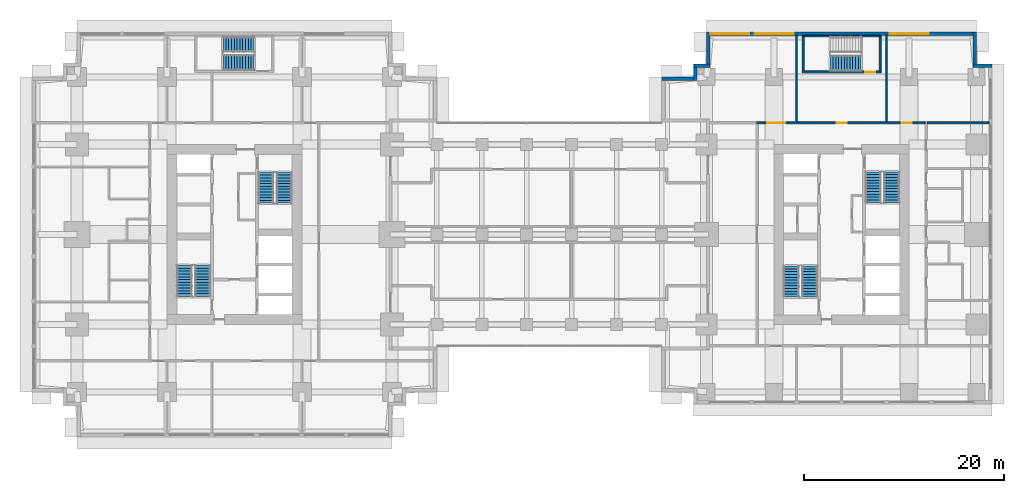
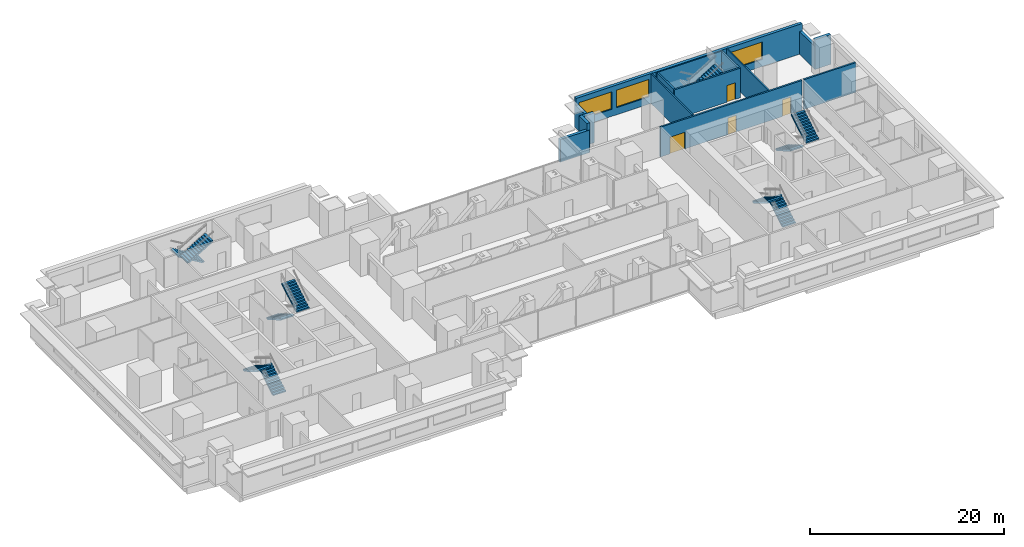
# One storey, part 12 of 16: 15 walls, 11 stair flights, 4 doors, 3 windows, 7 openings, 6 elements without a shape of their own.
"""IFC4 building model written with IfcOpenShell, lengths in metres."""

from ifc_helpers import new_model, si_unit, direction, frame, frame_2d, origin, place, context, subcontext, project, spatial, polyline, rectangle, outline, extrude, material, layer, layer_set, type_object, element, fill, aggregate, save


model = new_model("IFC4")

# Units and contexts
model_context = context("Model", 3, precision=1e-05, world=origin(), true_north=direction((0.0, 1.0)))
body_context = subcontext(model_context, "Body", "Model", "MODEL_VIEW")
ifc_project = project(units=[si_unit("LENGTHUNIT", "METRE"), si_unit("AREAUNIT", "SQUARE_METRE"), si_unit("VOLUMEUNIT", "CUBIC_METRE"), si_unit("PLANEANGLEUNIT", "RADIAN"), si_unit("MASSUNIT", "GRAM", prefix="KILO")], contexts=[model_context])

# Site, building, storey
site_placement = place(None, origin())
site = spatial("IfcSite", under=ifc_project, at=site_placement, CompositionType="ELEMENT")
building_placement = place(site_placement, origin())
building = spatial("IfcBuilding", under=site, at=building_placement, Name="Namib Vertical Campus", CompositionType="ELEMENT")
storey_placement = place(building_placement, frame((0.0, 0.0, 129.0)))
storey = spatial("IfcBuildingStorey", under=building, at=storey_placement, Name="L30", CompositionType="ELEMENT", Elevation=129.0)

# Wall, openings, doors
ifc_material_1 = material(Name="Concrete masonry", Category="masonry")
ifc_layer_1 = layer(ifc_material_1, 0.199951171875)
ifc_layer_set_1 = layer_set([ifc_layer_1], Name="Corridor wall 200")
wall_type_1 = type_object("IfcWallType", Name="Corridor wall 200", PredefinedType="SOLIDWALL", material=ifc_layer_set_1)
wall_1_placement = place(storey_placement, frame((89.35009765625, 31.39990234375, 0.0), z_axis=(0.0, 0.0, 1.0), x_axis=(-1.0, 0.0, 0.0)))
wall_1 = element("IfcWall", 1, at=wall_1_placement, inside=storey, type_object=wall_type_1, Name="Corridor wall B L30 CN", PredefinedType="SOLIDWALL", context=body_context, shape_type="SweptSolid", body=[
    extrude(rectangle(XDim=16.900146484375, YDim=0.199951171875, at=frame_2d((8.4501953125, 0.0))), origin(), (0.0, 0.0, 1.0), 3.75),
])
opening_1_placement = place(wall_1_placement, frame((13.97509765625, 0.0, 0.0)))
opening_1 = element("IfcOpeningElement", 2, at=opening_1_placement, cuts=wall_1, Name="Opening CD2", PredefinedType="OPENING", context=body_context, shape_type="SweptSolid", body=[
    extrude(rectangle(XDim=1.800048828125, YDim=2.10009765625, at=frame_2d((0.89990234375, 1.050048828125))), frame((0.0, 0.10986328125, 0.0), z_axis=(0.0, -1.0, 0.0), x_axis=(1.0, 0.0, 0.0)), (0.0, 0.0, 1.0), 0.219970703125),
])
opening_2_placement = place(wall_1_placement, frame((7.85009765625, 0.0, 0.0)))
opening_2 = element("IfcOpeningElement", 3, at=opening_2_placement, cuts=wall_1, Name="Opening CD1", PredefinedType="OPENING", context=body_context, shape_type="SweptSolid", body=[
    extrude(rectangle(XDim=1.0, YDim=2.10009765625, at=frame_2d((0.5, 1.050048828125))), frame((0.0, 0.10986328125, 0.0), z_axis=(0.0, -1.0, 0.0), x_axis=(1.0, 0.0, 0.0)), (0.0, 0.0, 1.0), 0.219970703125),
])
opening_3_placement = place(wall_1_placement, frame((1.324951171875, 0.0, 0.0)))
opening_3 = element("IfcOpeningElement", 4, at=opening_3_placement, cuts=wall_1, Name="Opening CD1", PredefinedType="OPENING", context=body_context, shape_type="SweptSolid", body=[
    extrude(rectangle(XDim=1.0, YDim=2.10009765625, at=frame_2d((0.5, 1.050048828125))), frame((0.0, 0.10986328125, 0.0), z_axis=(0.0, -1.0, 0.0), x_axis=(1.0, 0.0, 0.0)), (0.0, 0.0, 1.0), 0.219970703125),
])
ifc_material_2 = material(Name="Timber fire door leaf", Category="wood")
door_type_1 = type_object("IfcDoorType", Name="Corridor door 1000x2100 20 min", OperationType="SINGLE_SWING_LEFT", PredefinedType="DOOR", material=ifc_material_2)
door_1_placement = place(opening_2_placement, frame((1.0, 0.0, 0.0), z_axis=(0.0, 0.0, 1.0), x_axis=(-1.0, 0.0, 0.0)))
door_1 = element("IfcDoor", 5, at=door_1_placement, inside=storey, type_object=door_type_1, Name="Door CD1 B30-12", OperationType="SINGLE_SWING_RIGHT", OverallHeight=2.10009765625, OverallWidth=1.0, PredefinedType="DOOR", context=body_context, shape_type="SweptSolid", body=[
    extrude(rectangle(XDim=1.0, YDim=2.10009765625, at=frame_2d((0.5, 1.050048828125))), frame((0.0, 0.02490234375, 0.0), z_axis=(0.0, -1.0, 0.0), x_axis=(1.0, 0.0, 0.0)), (0.0, 0.0, 1.0), 0.050048828125),
])
fill(opening_2, door_1)
door_2_placement = place(opening_3_placement, frame((1.0, 0.0, 0.0), z_axis=(0.0, 0.0, 1.0), x_axis=(-1.0, 0.0, 0.0)))
door_2 = element("IfcDoor", 6, at=door_2_placement, inside=storey, type_object=door_type_1, Name="Door CD1 B30-13", OperationType="SINGLE_SWING_LEFT", OverallHeight=2.10009765625, OverallWidth=1.0, PredefinedType="DOOR", context=body_context, shape_type="SweptSolid", body=[
    extrude(rectangle(XDim=1.0, YDim=2.10009765625, at=frame_2d((0.5, 1.050048828125))), frame((0.0, 0.02490234375, 0.0), z_axis=(0.0, -1.0, 0.0), x_axis=(1.0, 0.0, 0.0)), (0.0, 0.0, 1.0), 0.050048828125),
])
fill(opening_3, door_2)
ifc_material_3 = material(Name="Timber fire door leaf", Category="wood")
door_type_2 = type_object("IfcDoorType", Name="Corridor door double 1800x2100 20 min", OperationType="DOUBLE_DOOR_SINGLE_SWING", PredefinedType="DOOR", material=ifc_material_3)
door_3_placement = place(opening_1_placement, frame((1.800048828125, 0.0, 0.0), z_axis=(0.0, 0.0, 1.0), x_axis=(-1.0, 0.0, 0.0)))
door_3 = element("IfcDoor", 7, at=door_3_placement, inside=storey, type_object=door_type_2, Name="Door CD2 B30-11", OperationType="DOUBLE_DOOR_SINGLE_SWING", OverallHeight=2.10009765625, OverallWidth=1.800048828125, PredefinedType="DOOR", context=body_context, shape_type="SweptSolid", body=[
    extrude(rectangle(XDim=1.800048828125, YDim=2.10009765625, at=frame_2d((0.89990234375, 1.050048828125))), frame((0.0, 0.02490234375, 0.0), z_axis=(0.0, -1.0, 0.0), x_axis=(1.0, 0.0, 0.0)), (0.0, 0.0, 1.0), 0.050048828125),
])
fill(opening_1, door_3)

# Walls
wall_2_placement = place(storey_placement, frame((89.550048828125, 31.39990234375, 0.0), z_axis=(0.0, 0.0, 1.0), x_axis=(1.0, 0.0, 0.0)))
element("IfcWall", 8, at=wall_2_placement, inside=storey, type_object=wall_type_1, Name="Partition B L30 BNE", PredefinedType="SOLIDWALL", context=body_context, shape_type="SweptSolid", body=[
    extrude(rectangle(XDim=6.199951171875, YDim=0.199951171875, at=frame_2d((3.10009765625, 0.0))), origin(), (0.0, 0.0, 1.0), 3.75),
])
ifc_material_4 = material(Name="Concrete C40/50", Category="concrete")
ifc_layer_2 = layer(ifc_material_4, 0.35009765625)
ifc_layer_set_2 = layer_set([ifc_layer_2], Name="Concrete C40/50")
wall_type_2 = type_object("IfcWallType", Name="External wall 350 bush-hammered concrete", PredefinedType="STANDARD", material=ifc_layer_set_2)
wall_3_placement = place(storey_placement, frame((96.030029296875, 37.125, 0.0), z_axis=(0.0, 0.0, 1.0), x_axis=(-1.0, 0.0, 0.0)))
element("IfcWall", 9, at=wall_3_placement, inside=storey, type_object=wall_type_2, Name="External wall L30 F06", PredefinedType="STANDARD", context=body_context, shape_type="SweptSolid", body=[
    extrude(rectangle(XDim=1.860107421875, YDim=0.35009765625, at=frame_2d((0.93017578125, 0.0))), origin(), (0.0, 0.0, 1.0), 3.75),
])
wall_4_placement = place(storey_placement, frame((94.324951171875, 36.969970703125, 0.0), z_axis=(0.0, 0.0, 1.0), x_axis=(0.0, 1.0, 0.0)))
element("IfcWall", 10, at=wall_4_placement, inside=storey, type_object=wall_type_2, Name="External wall L30 F07", PredefinedType="STANDARD", context=body_context, shape_type="SweptSolid", body=[
    extrude(rectangle(XDim=3.510009765625, YDim=0.35009765625, at=frame_2d((1.7548828125, 0.0))), origin(), (0.0, 0.0, 1.0), 2.85009765625),
])

# Wall, openings, windows
wall_5_placement = place(storey_placement, frame((94.47998046875, 40.324951171875, 0.0), z_axis=(0.0, 0.0, 1.0), x_axis=(-1.0, 0.0, 0.0)))
wall_5 = element("IfcWall", 11, at=wall_5_placement, inside=storey, type_object=wall_type_2, Name="External wall L30 F08", PredefinedType="STANDARD", context=body_context, shape_type="SweptSolid", body=[
    extrude(rectangle(XDim=26.9599609375, YDim=0.35009765625, at=frame_2d((13.47998046875, 0.0))), origin(), (0.0, 0.0, 1.0), 3.75),
])
opening_4_placement = place(wall_5_placement, frame((22.7099609375, 0.0, 0.89990234375)))
opening_4 = element("IfcOpeningElement", 12, at=opening_4_placement, cuts=wall_5, Name="Opening W1", PredefinedType="OPENING", context=body_context, shape_type="SweptSolid", body=[
    extrude(rectangle(XDim=3.89990234375, YDim=2.199951171875, at=frame_2d((1.949951171875, 1.10009765625))), frame((0.0, 0.18505859375, 0.0), z_axis=(0.0, -1.0, 0.0), x_axis=(1.0, 0.0, 0.0)), (0.0, 0.0, 1.0), 0.3701171875),
])
opening_5_placement = place(wall_5_placement, frame((18.280029296875, 0.0, 0.89990234375)))
opening_5 = element("IfcOpeningElement", 13, at=opening_5_placement, cuts=wall_5, Name="Opening W1", PredefinedType="OPENING", context=body_context, shape_type="SweptSolid", body=[
    extrude(rectangle(XDim=3.89990234375, YDim=2.199951171875, at=frame_2d((1.949951171875, 1.10009765625))), frame((0.0, 0.18505859375, 0.0), z_axis=(0.0, -1.0, 0.0), x_axis=(1.0, 0.0, 0.0)), (0.0, 0.0, 1.0), 0.3701171875),
])
opening_6_placement = place(wall_5_placement, frame((4.780029296875, 0.0, 0.89990234375)))
opening_6 = element("IfcOpeningElement", 14, at=opening_6_placement, cuts=wall_5, Name="Opening W1", PredefinedType="OPENING", context=body_context, shape_type="SweptSolid", body=[
    extrude(rectangle(XDim=3.89990234375, YDim=2.199951171875, at=frame_2d((1.949951171875, 1.10009765625))), frame((0.0, 0.18505859375, 0.0), z_axis=(0.0, -1.0, 0.0), x_axis=(1.0, 0.0, 0.0)), (0.0, 0.0, 1.0), 0.3701171875),
])
ifc_material_5 = material(Name="Dark tinted glass in black aluminium frame", Category="aluminium")
window_type = type_object("IfcWindowType", Name="Ribbon window 3900x2200", PartitioningType="SINGLE_PANEL", PredefinedType="WINDOW", material=ifc_material_5)
window_1_placement = place(opening_4_placement, origin())
window_1 = element("IfcWindow", 15, at=window_1_placement, inside=storey, type_object=window_type, Name="Window W1 L30 F08-1", OverallHeight=2.199951171875, OverallWidth=3.89990234375, PartitioningType="SINGLE_PANEL", PredefinedType="WINDOW", context=body_context, shape_type="SweptSolid", body=[
    extrude(rectangle(XDim=3.89990234375, YDim=2.199951171875, at=frame_2d((1.949951171875, 1.10009765625))), frame((0.0, 0.030029296875, 0.0), z_axis=(0.0, -1.0, 0.0), x_axis=(1.0, 0.0, 0.0)), (0.0, 0.0, 1.0), 0.06005859375),
])
fill(opening_4, window_1)
window_2_placement = place(opening_5_placement, origin())
window_2 = element("IfcWindow", 16, at=window_2_placement, inside=storey, type_object=window_type, Name="Window W1 L30 F08-2", OverallHeight=2.199951171875, OverallWidth=3.89990234375, PartitioningType="SINGLE_PANEL", PredefinedType="WINDOW", context=body_context, shape_type="SweptSolid", body=[
    extrude(rectangle(XDim=3.89990234375, YDim=2.199951171875, at=frame_2d((1.949951171875, 1.10009765625))), frame((0.0, 0.030029296875, 0.0), z_axis=(0.0, -1.0, 0.0), x_axis=(1.0, 0.0, 0.0)), (0.0, 0.0, 1.0), 0.06005859375),
])
fill(opening_5, window_2)
window_3_placement = place(opening_6_placement, origin())
window_3 = element("IfcWindow", 17, at=window_3_placement, inside=storey, type_object=window_type, Name="Window W1 L30 F08-5", OverallHeight=2.199951171875, OverallWidth=3.89990234375, PartitioningType="SINGLE_PANEL", PredefinedType="WINDOW", context=body_context, shape_type="SweptSolid", body=[
    extrude(rectangle(XDim=3.89990234375, YDim=2.199951171875, at=frame_2d((1.949951171875, 1.10009765625))), frame((0.0, 0.030029296875, 0.0), z_axis=(0.0, -1.0, 0.0), x_axis=(1.0, 0.0, 0.0)), (0.0, 0.0, 1.0), 0.06005859375),
])
fill(opening_6, window_3)

# Walls
wall_6_placement = place(storey_placement, frame((67.675048828125, 40.47998046875, 0.0), z_axis=(0.0, 0.0, 1.0), x_axis=(0.0, -1.0, 0.0)))
element("IfcWall", 18, at=wall_6_placement, inside=storey, type_object=wall_type_2, Name="External wall L30 F09", PredefinedType="STANDARD", context=body_context, shape_type="SweptSolid", body=[
    extrude(rectangle(XDim=3.510009765625, YDim=0.35009765625, at=frame_2d((1.7548828125, 0.0))), origin(), (0.0, 0.0, 1.0), 2.85009765625),
])
for number, where, z_axis, x_axis, name in (
    (19, (67.830078125, 37.125, 0.0), (0.0, 0.0, 1.0), (-1.0, 0.0, 0.0), "External wall L30 F10"),
    (20, (66.375, 37.280029296875, 0.0), (0.0, 0.0, 1.0), (0.0, -1.0, 0.0), "External wall L30 F11"),
):
    element("IfcWall", number, at=place(storey_placement, frame(where, z_axis=z_axis, x_axis=x_axis)), inside=storey, type_object=wall_type_2, Name=name, PredefinedType="STANDARD", context=body_context, shape_type="SweptSolid", body=[
        extrude(rectangle(XDim=1.610107421875, YDim=0.35009765625, at=frame_2d((0.80517578125, 0.0))), origin(), (0.0, 0.0, 1.0), 3.75),
    ])
wall_7_placement = place(storey_placement, frame((66.530029296875, 35.824951171875, 0.0), z_axis=(0.0, 0.0, 1.0), x_axis=(-1.0, 0.0, 0.0)))
element("IfcWall", 21, at=wall_7_placement, inside=storey, type_object=wall_type_2, Name="External wall L30 F12", PredefinedType="STANDARD", context=body_context, shape_type="SweptSolid", body=[
    extrude(rectangle(XDim=3.510009765625, YDim=0.35009765625, at=frame_2d((1.7548828125, 0.0))), origin(), (0.0, 0.0, 1.0), 2.85009765625),
])
ifc_material_6 = material(Name="Gypsum board on steel studs", Category="steel")
ifc_layer_3 = layer(ifc_material_6, 0.14990234375)
ifc_layer_set_3 = layer_set([ifc_layer_3], Name="Gypsum board on steel studs")
wall_type_3 = type_object("IfcWallType", Name="Partition 150", PredefinedType="PARTITIONING", material=ifc_layer_set_3)
for number, where, z_axis, x_axis, name in (
    (22, (76.5, 31.5, 0.0), (0.0, 0.0, 1.0), (0.0, 1.0, 0.0), "Partition B L30 PN1"),
    (23, (85.5, 31.5, 0.0), (0.0, 0.0, 1.0), (0.0, 1.0, 0.0), "Partition B L30 PN2"),
):
    element("IfcWall", number, at=place(storey_placement, frame(where, z_axis=z_axis, x_axis=x_axis)), inside=storey, type_object=wall_type_3, Name=name, PredefinedType="PARTITIONING", context=body_context, shape_type="SweptSolid", body=[
        extrude(rectangle(XDim=8.699951171875, YDim=0.14990234375, at=frame_2d((4.35009765625, 0.0))), origin(), (0.0, 0.0, 1.0), 3.75),
    ])
ifc_material_7 = material(Name="Concrete C40/50", Category="concrete")
ifc_layer_4 = layer(ifc_material_7, 0.14990234375)
ifc_layer_set_4 = layer_set([ifc_layer_4], Name="Concrete C40/50")
wall_type_4 = type_object("IfcWallType", Name="Stair enclosure wall RC 150", PredefinedType="SOLIDWALL", material=ifc_layer_set_4)
wall_8_placement = place(storey_placement, frame((77.050048828125, 40.074951171875, 0.0), z_axis=(0.0, 0.0, 1.0), x_axis=(1.0, 0.0, 0.0)))
element("IfcWall", 24, at=wall_8_placement, inside=storey, type_object=wall_type_4, Name="Stair enclosure wall B-S3 L30 N", PredefinedType="SOLIDWALL", context=body_context, shape_type="SweptSolid", body=[
    extrude(rectangle(XDim=7.89990234375, YDim=0.14990234375, at=frame_2d((3.949951171875, 0.0))), origin(), (0.0, 0.0, 1.0), 3.75),
])

# Wall, opening, door
ifc_material_8 = material(Name="Concrete C40/50", Category="concrete")
ifc_layer_5 = layer(ifc_material_8, 0.199951171875)
ifc_layer_set_5 = layer_set([ifc_layer_5], Name="Concrete C40/50")
wall_type_5 = type_object("IfcWallType", Name="Stair enclosure wall RC 200", PredefinedType="SOLIDWALL", material=ifc_layer_set_5)
wall_9_placement = place(storey_placement, frame((77.050048828125, 36.5, 0.0), z_axis=(0.0, 0.0, 1.0), x_axis=(1.0, 0.0, 0.0)))
wall_9 = element("IfcWall", 25, at=wall_9_placement, inside=storey, type_object=wall_type_5, Name="Stair enclosure wall B-S3 L30 S", PredefinedType="SOLIDWALL", context=body_context, shape_type="SweptSolid", body=[
    extrude(rectangle(XDim=7.89990234375, YDim=0.199951171875, at=frame_2d((3.949951171875, 0.0))), origin(), (0.0, 0.0, 1.0), 3.75),
])
opening_7_placement = place(wall_9_placement, frame((6.300048828125, 0.0, 0.0)))
opening_7 = element("IfcOpeningElement", 26, at=opening_7_placement, cuts=wall_9, Name="Opening FD1", PredefinedType="OPENING", context=body_context, shape_type="SweptSolid", body=[
    extrude(rectangle(XDim=1.0, YDim=2.10009765625, at=frame_2d((0.5, 1.050048828125))), frame((0.0, 0.10986328125, 0.0), z_axis=(0.0, -1.0, 0.0), x_axis=(1.0, 0.0, 0.0)), (0.0, 0.0, 1.0), 0.219970703125),
])
ifc_material_9 = material(Name="Steel fire door", Category="steel")
door_type_3 = type_object("IfcDoorType", Name="Fire door 1000x2100", OperationType="SINGLE_SWING_RIGHT", PredefinedType="DOOR", material=ifc_material_9)
door_4_placement = place(opening_7_placement, origin())
door_4 = element("IfcDoor", 27, at=door_4_placement, inside=storey, type_object=door_type_3, Name="Stair door FD1 B L30 S3", OperationType="SINGLE_SWING_RIGHT", OverallHeight=2.10009765625, OverallWidth=1.0, PredefinedType="DOOR", context=body_context, shape_type="SweptSolid", body=[
    extrude(rectangle(XDim=1.0, YDim=2.10009765625, at=frame_2d((0.5, 1.050048828125))), frame((0.0, 0.02490234375, 0.0), z_axis=(0.0, -1.0, 0.0), x_axis=(1.0, 0.0, 0.0)), (0.0, 0.0, 1.0), 0.050048828125),
])
fill(opening_7, door_4)

# Walls
for number, where, z_axis, x_axis, name in (
    (28, (77.14990234375, 36.60009765625, 0.0), (0.0, 0.0, 1.0), (0.0, 1.0, 0.0), "Stair enclosure wall B-S3 L30 W"),
    (29, (84.85009765625, 36.60009765625, 0.0), (0.0, 0.0, 1.0), (0.0, 1.0, 0.0), "Stair enclosure wall B-S3 L30 E"),
):
    element("IfcWall", number, at=place(storey_placement, frame(where, z_axis=z_axis, x_axis=x_axis)), inside=storey, type_object=wall_type_5, Name=name, PredefinedType="SOLIDWALL", context=body_context, shape_type="SweptSolid", body=[
        extrude(rectangle(XDim=3.39990234375, YDim=0.199951171875, at=frame_2d((1.699951171875, 0.0))), origin(), (0.0, 0.0, 1.0), 3.75),
    ])

# Stair, stair flights
ifc_material_10 = material(Name="Concrete C40/50 precast", Category="concrete")
stair_type_1 = type_object("IfcStairType", Name="Exit stair 4000 rise 24 risers 3350 wide", PredefinedType="HALF_TURN_STAIR", material=ifc_material_10)
stair_1_placement = place(storey_placement, origin())
stair_1 = element("IfcStair", 30, at=stair_1_placement, inside=storey, type_object=stair_type_1, Name="Exit stair A-S1 L30", PredefinedType="HALF_TURN_STAIR")
ifc_material_11 = material(Name="Concrete C40/50 precast", Category="concrete")
stair_flight_type_1 = type_object("IfcStairFlightType", Name="Stair flight 12 risers 167 1525 wide", PredefinedType="STRAIGHT", material=ifc_material_11)
stair_flight_1_placement = place(storey_placement, frame((17.08740234375, 14.050048828125, 0.0), z_axis=(0.0, 0.0, 1.0), x_axis=(0.0, 1.0, 0.0)))
stair_flight_1 = element("IfcStairFlight", 31, at=stair_flight_1_placement, type_object=stair_flight_type_1, Name="A-S1 flight 1", NumberOfRisers=12, NumberOfTreads=11, PredefinedType="STRAIGHT", RiserHeight=0.166666667, TreadLength=0.28, context=body_context, shape_type="SweptSolid", body=[
    extrude(outline(polyline([(0.0, 0.0), (0.0, 0.166748046875), (0.280029296875, 0.166748046875), (0.280029296875, 0.333251953125), (0.56005859375, 0.333251953125), (0.56005859375, 0.5), (0.840087890625, 0.5), (0.840087890625, 0.666748046875), (1.1201171875, 0.666748046875), (1.1201171875, 0.833251953125), (1.39990234375, 0.833251953125), (1.39990234375, 1.0), (1.679931640625, 1.0), (1.679931640625, 1.166748046875), (1.9599609375, 1.166748046875), (1.9599609375, 1.333251953125), (2.239990234375, 1.333251953125), (2.239990234375, 1.5), (2.52001953125, 1.5), (2.52001953125, 1.666748046875), (2.800048828125, 1.666748046875), (2.800048828125, 1.833251953125), (3.080078125, 1.833251953125), (3.080078125, 2.0), (3.080078125, 1.658935546875), (0.29296875, 0.0), (0.0, 0.0)])), frame((0.0, 0.762451171875, 0.0), z_axis=(0.0, -1.0, 0.0), x_axis=(1.0, 0.0, 0.0)), (0.0, 0.0, 1.0), 1.52490234375),
])
stair_flight_2_placement = place(storey_placement, frame((15.262451171875, 17.1298828125, 2.0), z_axis=(0.0, 0.0, 1.0), x_axis=(0.0, -1.0, 0.0)))
stair_flight_2 = element("IfcStairFlight", 32, at=stair_flight_2_placement, type_object=stair_flight_type_1, Name="A-S1 flight 2", NumberOfRisers=12, NumberOfTreads=11, PredefinedType="STRAIGHT", RiserHeight=0.166666667, TreadLength=0.28, context=body_context, shape_type="SweptSolid", body=[
    extrude(outline(polyline([(0.0, 0.0), (0.0, 0.166748046875), (0.280029296875, 0.166748046875), (0.280029296875, 0.333251953125), (0.56005859375, 0.333251953125), (0.56005859375, 0.5), (0.840087890625, 0.5), (0.840087890625, 0.666748046875), (1.1201171875, 0.666748046875), (1.1201171875, 0.833251953125), (1.39990234375, 0.833251953125), (1.39990234375, 1.0), (1.679931640625, 1.0), (1.679931640625, 1.166748046875), (1.9599609375, 1.166748046875), (1.9599609375, 1.333251953125), (2.239990234375, 1.333251953125), (2.239990234375, 1.5), (2.52001953125, 1.5), (2.52001953125, 1.666748046875), (2.800048828125, 1.666748046875), (2.800048828125, 1.833251953125), (3.080078125, 1.833251953125), (3.080078125, 2.0), (3.080078125, 1.658935546875), (0.29296875, 0.0), (0.0, 0.0)])), frame((0.0, 0.762451171875, 0.0), z_axis=(0.0, -1.0, 0.0), x_axis=(1.0, 0.0, 0.0)), (0.0, 0.0, 1.0), 1.52490234375),
])
aggregate(stair_1, [stair_flight_1, stair_flight_2])

stair_2_placement = place(storey_placement, origin())
stair_2 = element("IfcStair", 33, at=stair_2_placement, inside=storey, type_object=stair_type_1, Name="Exit stair A-S2 L30", PredefinedType="HALF_TURN_STAIR")
stair_flight_3_placement = place(storey_placement, frame((23.41259765625, 26.449951171875, 0.0), z_axis=(0.0, 0.0, 1.0), x_axis=(0.0, -1.0, 0.0)))
stair_flight_3 = element("IfcStairFlight", 34, at=stair_flight_3_placement, type_object=stair_flight_type_1, Name="A-S2 flight 1", NumberOfRisers=12, NumberOfTreads=11, PredefinedType="STRAIGHT", RiserHeight=0.166666667, TreadLength=0.28, context=body_context, shape_type="SweptSolid", body=[
    extrude(outline(polyline([(0.0, 0.0), (0.0, 0.166748046875), (0.280029296875, 0.166748046875), (0.280029296875, 0.333251953125), (0.56005859375, 0.333251953125), (0.56005859375, 0.5), (0.840087890625, 0.5), (0.840087890625, 0.666748046875), (1.1201171875, 0.666748046875), (1.1201171875, 0.833251953125), (1.39990234375, 0.833251953125), (1.39990234375, 1.0), (1.679931640625, 1.0), (1.679931640625, 1.166748046875), (1.9599609375, 1.166748046875), (1.9599609375, 1.333251953125), (2.239990234375, 1.333251953125), (2.239990234375, 1.5), (2.52001953125, 1.5), (2.52001953125, 1.666748046875), (2.800048828125, 1.666748046875), (2.800048828125, 1.833251953125), (3.080078125, 1.833251953125), (3.080078125, 2.0), (3.080078125, 1.658935546875), (0.29296875, 0.0), (0.0, 0.0)])), frame((0.0, 0.762451171875, 0.0), z_axis=(0.0, -1.0, 0.0), x_axis=(1.0, 0.0, 0.0)), (0.0, 0.0, 1.0), 1.52490234375),
])
stair_flight_4_placement = place(storey_placement, frame((25.237548828125, 23.3701171875, 2.0), z_axis=(0.0, 0.0, 1.0), x_axis=(0.0, 1.0, 0.0)))
stair_flight_4 = element("IfcStairFlight", 35, at=stair_flight_4_placement, type_object=stair_flight_type_1, Name="A-S2 flight 2", NumberOfRisers=12, NumberOfTreads=11, PredefinedType="STRAIGHT", RiserHeight=0.166666667, TreadLength=0.28, context=body_context, shape_type="SweptSolid", body=[
    extrude(outline(polyline([(0.0, 0.0), (0.0, 0.166748046875), (0.280029296875, 0.166748046875), (0.280029296875, 0.333251953125), (0.56005859375, 0.333251953125), (0.56005859375, 0.5), (0.840087890625, 0.5), (0.840087890625, 0.666748046875), (1.1201171875, 0.666748046875), (1.1201171875, 0.833251953125), (1.39990234375, 0.833251953125), (1.39990234375, 1.0), (1.679931640625, 1.0), (1.679931640625, 1.166748046875), (1.9599609375, 1.166748046875), (1.9599609375, 1.333251953125), (2.239990234375, 1.333251953125), (2.239990234375, 1.5), (2.52001953125, 1.5), (2.52001953125, 1.666748046875), (2.800048828125, 1.666748046875), (2.800048828125, 1.833251953125), (3.080078125, 1.833251953125), (3.080078125, 2.0), (3.080078125, 1.658935546875), (0.29296875, 0.0), (0.0, 0.0)])), frame((0.0, 0.762451171875, 0.0), z_axis=(0.0, -1.0, 0.0), x_axis=(1.0, 0.0, 0.0)), (0.0, 0.0, 1.0), 1.52490234375),
])
aggregate(stair_2, [stair_flight_3, stair_flight_4])

stair_3_placement = place(storey_placement, origin())
stair_3 = element("IfcStair", 36, at=stair_3_placement, inside=storey, type_object=stair_type_1, Name="Exit stair A-S3 L30", PredefinedType="HALF_TURN_STAIR")
stair_flight_5_placement = place(storey_placement, frame((22.199951171875, 39.237548828125, 0.0), z_axis=(0.0, 0.0, 1.0), x_axis=(-1.0, 0.0, 0.0)))
stair_flight_5 = element("IfcStairFlight", 37, at=stair_flight_5_placement, type_object=stair_flight_type_1, Name="A-S3 flight 1", NumberOfRisers=12, NumberOfTreads=11, PredefinedType="STRAIGHT", RiserHeight=0.166666667, TreadLength=0.28, context=body_context, shape_type="SweptSolid", body=[
    extrude(outline(polyline([(0.0, 0.0), (0.0, 0.166748046875), (0.280029296875, 0.166748046875), (0.280029296875, 0.333251953125), (0.56005859375, 0.333251953125), (0.56005859375, 0.5), (0.840087890625, 0.5), (0.840087890625, 0.666748046875), (1.1201171875, 0.666748046875), (1.1201171875, 0.833251953125), (1.39990234375, 0.833251953125), (1.39990234375, 1.0), (1.679931640625, 1.0), (1.679931640625, 1.166748046875), (1.9599609375, 1.166748046875), (1.9599609375, 1.333251953125), (2.239990234375, 1.333251953125), (2.239990234375, 1.5), (2.52001953125, 1.5), (2.52001953125, 1.666748046875), (2.800048828125, 1.666748046875), (2.800048828125, 1.833251953125), (3.080078125, 1.833251953125), (3.080078125, 2.0), (3.080078125, 1.658935546875), (0.29296875, 0.0), (0.0, 0.0)])), frame((0.0, 0.762451171875, 0.0), z_axis=(0.0, -1.0, 0.0), x_axis=(1.0, 0.0, 0.0)), (0.0, 0.0, 1.0), 1.52490234375),
])
stair_flight_6_placement = place(storey_placement, frame((19.1201171875, 37.41259765625, 2.0), z_axis=(0.0, 0.0, 1.0), x_axis=(1.0, 0.0, 0.0)))
stair_flight_6 = element("IfcStairFlight", 38, at=stair_flight_6_placement, type_object=stair_flight_type_1, Name="A-S3 flight 2", NumberOfRisers=12, NumberOfTreads=11, PredefinedType="STRAIGHT", RiserHeight=0.166666667, TreadLength=0.28, context=body_context, shape_type="SweptSolid", body=[
    extrude(outline(polyline([(0.0, 0.0), (0.0, 0.166748046875), (0.280029296875, 0.166748046875), (0.280029296875, 0.333251953125), (0.56005859375, 0.333251953125), (0.56005859375, 0.5), (0.840087890625, 0.5), (0.840087890625, 0.666748046875), (1.1201171875, 0.666748046875), (1.1201171875, 0.833251953125), (1.39990234375, 0.833251953125), (1.39990234375, 1.0), (1.679931640625, 1.0), (1.679931640625, 1.166748046875), (1.9599609375, 1.166748046875), (1.9599609375, 1.333251953125), (2.239990234375, 1.333251953125), (2.239990234375, 1.5), (2.52001953125, 1.5), (2.52001953125, 1.666748046875), (2.800048828125, 1.666748046875), (2.800048828125, 1.833251953125), (3.080078125, 1.833251953125), (3.080078125, 2.0), (3.080078125, 1.658935546875), (0.29296875, 0.0), (0.0, 0.0)])), frame((0.0, 0.762451171875, 0.0), z_axis=(0.0, -1.0, 0.0), x_axis=(1.0, 0.0, 0.0)), (0.0, 0.0, 1.0), 1.52490234375),
])
aggregate(stair_3, [stair_flight_5, stair_flight_6])

ifc_material_12 = material(Name="Concrete C40/50 precast", Category="concrete")
stair_type_2 = type_object("IfcStairType", Name="Exit stair 4000 rise 24 risers 3400 wide", PredefinedType="HALF_TURN_STAIR", material=ifc_material_12)
stair_4_placement = place(storey_placement, origin())
stair_4 = element("IfcStair", 39, at=stair_4_placement, inside=storey, type_object=stair_type_2, Name="Exit stair B-S1 L30", PredefinedType="HALF_TURN_STAIR")
ifc_material_13 = material(Name="Concrete C40/50 precast", Category="concrete")
stair_flight_type_2 = type_object("IfcStairFlightType", Name="Stair flight 12 risers 167 1550 wide", PredefinedType="STRAIGHT", material=ifc_material_13)
stair_flight_7_placement = place(storey_placement, frame((77.824951171875, 14.0, 0.0), z_axis=(0.0, 0.0, 1.0), x_axis=(0.0, 1.0, 0.0)))
stair_flight_7 = element("IfcStairFlight", 40, at=stair_flight_7_placement, type_object=stair_flight_type_2, Name="B-S1 flight 1", NumberOfRisers=12, NumberOfTreads=11, PredefinedType="STRAIGHT", RiserHeight=0.166666667, TreadLength=0.28, context=body_context, shape_type="SweptSolid", body=[
    extrude(outline(polyline([(0.0, 0.0), (0.0, 0.166748046875), (0.280029296875, 0.166748046875), (0.280029296875, 0.333251953125), (0.56005859375, 0.333251953125), (0.56005859375, 0.5), (0.840087890625, 0.5), (0.840087890625, 0.666748046875), (1.1201171875, 0.666748046875), (1.1201171875, 0.833251953125), (1.39990234375, 0.833251953125), (1.39990234375, 1.0), (1.679931640625, 1.0), (1.679931640625, 1.166748046875), (1.9599609375, 1.166748046875), (1.9599609375, 1.333251953125), (2.239990234375, 1.333251953125), (2.239990234375, 1.5), (2.52001953125, 1.5), (2.52001953125, 1.666748046875), (2.800048828125, 1.666748046875), (2.800048828125, 1.833251953125), (3.080078125, 1.833251953125), (3.080078125, 2.0), (3.080078125, 1.658935546875), (0.29296875, 0.0), (0.0, 0.0)])), frame((0.0, 0.77490234375, 0.0), z_axis=(0.0, -1.0, 0.0), x_axis=(1.0, 0.0, 0.0)), (0.0, 0.0, 1.0), 1.550048828125),
])
stair_flight_8_placement = place(storey_placement, frame((75.97509765625, 17.080078125, 2.0), z_axis=(0.0, 0.0, 1.0), x_axis=(0.0, -1.0, 0.0)))
stair_flight_8 = element("IfcStairFlight", 41, at=stair_flight_8_placement, type_object=stair_flight_type_2, Name="B-S1 flight 2", NumberOfRisers=12, NumberOfTreads=11, PredefinedType="STRAIGHT", RiserHeight=0.166666667, TreadLength=0.28, context=body_context, shape_type="SweptSolid", body=[
    extrude(outline(polyline([(0.0, 0.0), (0.0, 0.166748046875), (0.280029296875, 0.166748046875), (0.280029296875, 0.333251953125), (0.56005859375, 0.333251953125), (0.56005859375, 0.5), (0.840087890625, 0.5), (0.840087890625, 0.666748046875), (1.1201171875, 0.666748046875), (1.1201171875, 0.833251953125), (1.39990234375, 0.833251953125), (1.39990234375, 1.0), (1.679931640625, 1.0), (1.679931640625, 1.166748046875), (1.9599609375, 1.166748046875), (1.9599609375, 1.333251953125), (2.239990234375, 1.333251953125), (2.239990234375, 1.5), (2.52001953125, 1.5), (2.52001953125, 1.666748046875), (2.800048828125, 1.666748046875), (2.800048828125, 1.833251953125), (3.080078125, 1.833251953125), (3.080078125, 2.0), (3.080078125, 1.658935546875), (0.29296875, 0.0), (0.0, 0.0)])), frame((0.0, 0.77490234375, 0.0), z_axis=(0.0, -1.0, 0.0), x_axis=(1.0, 0.0, 0.0)), (0.0, 0.0, 1.0), 1.550048828125),
])
aggregate(stair_4, [stair_flight_7, stair_flight_8])

stair_5_placement = place(storey_placement, origin())
stair_5 = element("IfcStair", 42, at=stair_5_placement, inside=storey, type_object=stair_type_2, Name="Exit stair B-S2 L30", PredefinedType="HALF_TURN_STAIR")
stair_flight_9_placement = place(storey_placement, frame((84.175048828125, 26.5, 0.0), z_axis=(0.0, 0.0, 1.0), x_axis=(0.0, -1.0, 0.0)))
stair_flight_9 = element("IfcStairFlight", 43, at=stair_flight_9_placement, type_object=stair_flight_type_2, Name="B-S2 flight 1", NumberOfRisers=12, NumberOfTreads=11, PredefinedType="STRAIGHT", RiserHeight=0.166666667, TreadLength=0.28, context=body_context, shape_type="SweptSolid", body=[
    extrude(outline(polyline([(0.0, 0.0), (0.0, 0.166748046875), (0.280029296875, 0.166748046875), (0.280029296875, 0.333251953125), (0.56005859375, 0.333251953125), (0.56005859375, 0.5), (0.840087890625, 0.5), (0.840087890625, 0.666748046875), (1.1201171875, 0.666748046875), (1.1201171875, 0.833251953125), (1.39990234375, 0.833251953125), (1.39990234375, 1.0), (1.679931640625, 1.0), (1.679931640625, 1.166748046875), (1.9599609375, 1.166748046875), (1.9599609375, 1.333251953125), (2.239990234375, 1.333251953125), (2.239990234375, 1.5), (2.52001953125, 1.5), (2.52001953125, 1.666748046875), (2.800048828125, 1.666748046875), (2.800048828125, 1.833251953125), (3.080078125, 1.833251953125), (3.080078125, 2.0), (3.080078125, 1.658935546875), (0.29296875, 0.0), (0.0, 0.0)])), frame((0.0, 0.77490234375, 0.0), z_axis=(0.0, -1.0, 0.0), x_axis=(1.0, 0.0, 0.0)), (0.0, 0.0, 1.0), 1.550048828125),
])
stair_flight_10_placement = place(storey_placement, frame((86.02490234375, 23.419921875, 2.0), z_axis=(0.0, 0.0, 1.0), x_axis=(0.0, 1.0, 0.0)))
stair_flight_10 = element("IfcStairFlight", 44, at=stair_flight_10_placement, type_object=stair_flight_type_2, Name="B-S2 flight 2", NumberOfRisers=12, NumberOfTreads=11, PredefinedType="STRAIGHT", RiserHeight=0.166666667, TreadLength=0.28, context=body_context, shape_type="SweptSolid", body=[
    extrude(outline(polyline([(0.0, 0.0), (0.0, 0.166748046875), (0.280029296875, 0.166748046875), (0.280029296875, 0.333251953125), (0.56005859375, 0.333251953125), (0.56005859375, 0.5), (0.840087890625, 0.5), (0.840087890625, 0.666748046875), (1.1201171875, 0.666748046875), (1.1201171875, 0.833251953125), (1.39990234375, 0.833251953125), (1.39990234375, 1.0), (1.679931640625, 1.0), (1.679931640625, 1.166748046875), (1.9599609375, 1.166748046875), (1.9599609375, 1.333251953125), (2.239990234375, 1.333251953125), (2.239990234375, 1.5), (2.52001953125, 1.5), (2.52001953125, 1.666748046875), (2.800048828125, 1.666748046875), (2.800048828125, 1.833251953125), (3.080078125, 1.833251953125), (3.080078125, 2.0), (3.080078125, 1.658935546875), (0.29296875, 0.0), (0.0, 0.0)])), frame((0.0, 0.77490234375, 0.0), z_axis=(0.0, -1.0, 0.0), x_axis=(1.0, 0.0, 0.0)), (0.0, 0.0, 1.0), 1.550048828125),
])
aggregate(stair_5, [stair_flight_9, stair_flight_10])

# Stair, stair flight
stair_6_placement = place(storey_placement, origin())
stair_6 = element("IfcStair", 45, at=stair_6_placement, inside=storey, type_object=stair_type_2, Name="Exit stair B-S3 L30", PredefinedType="HALF_TURN_STAIR")
stair_flight_11_placement = place(storey_placement, frame((79.8701171875, 37.375, 2.0), z_axis=(0.0, 0.0, 1.0), x_axis=(1.0, 0.0, 0.0)))
stair_flight_11 = element("IfcStairFlight", 46, at=stair_flight_11_placement, type_object=stair_flight_type_2, Name="B-S3 flight 2", NumberOfRisers=12, NumberOfTreads=11, PredefinedType="STRAIGHT", RiserHeight=0.166666667, TreadLength=0.28, context=body_context, shape_type="SweptSolid", body=[
    extrude(outline(polyline([(0.0, 0.0), (0.0, 0.166748046875), (0.280029296875, 0.166748046875), (0.280029296875, 0.333251953125), (0.56005859375, 0.333251953125), (0.56005859375, 0.5), (0.840087890625, 0.5), (0.840087890625, 0.666748046875), (1.1201171875, 0.666748046875), (1.1201171875, 0.833251953125), (1.39990234375, 0.833251953125), (1.39990234375, 1.0), (1.679931640625, 1.0), (1.679931640625, 1.166748046875), (1.9599609375, 1.166748046875), (1.9599609375, 1.333251953125), (2.239990234375, 1.333251953125), (2.239990234375, 1.5), (2.52001953125, 1.5), (2.52001953125, 1.666748046875), (2.800048828125, 1.666748046875), (2.800048828125, 1.833251953125), (3.080078125, 1.833251953125), (3.080078125, 2.0), (3.080078125, 1.658935546875), (0.29296875, 0.0), (0.0, 0.0)])), frame((0.0, 0.77490234375, 0.0), z_axis=(0.0, -1.0, 0.0), x_axis=(1.0, 0.0, 0.0)), (0.0, 0.0, 1.0), 1.550048828125),
])
aggregate(stair_6, [stair_flight_11])

save(model, "model.ifc")
